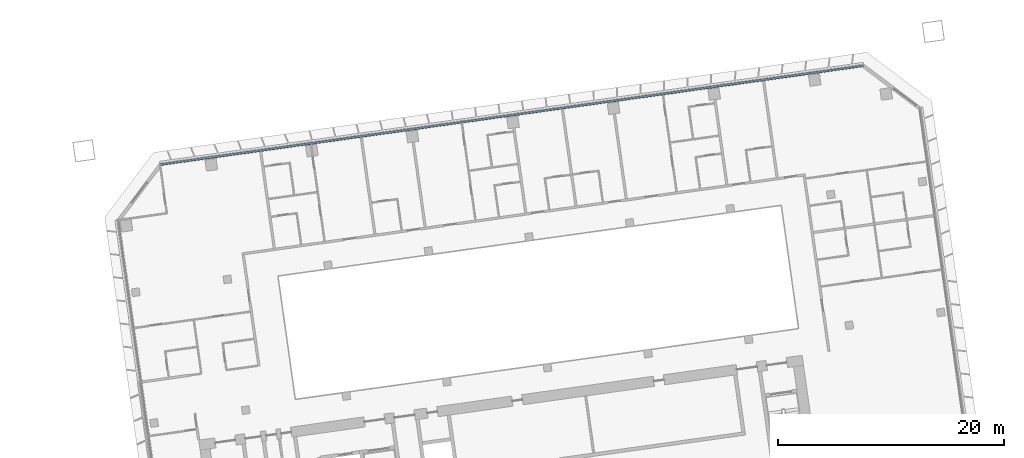
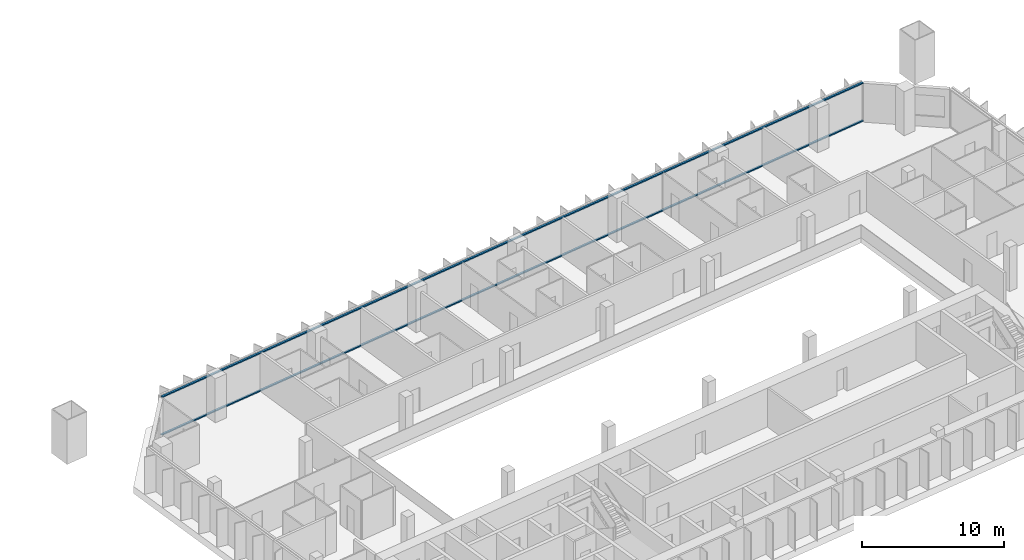
# One storey, part 9 of 25: 2 members, 1 element without a shape of its own.
"""IFC4 building model written with IfcOpenShell, lengths in metres."""

from ifc_helpers import new_model, si_unit, direction, frame, origin, origin_2d, place, context, subcontext, project, spatial, rectangle, extrude, material, material_profile, profile_set, type_object, element, aggregate, save


model = new_model("IFC4")

# Units and contexts
model_context = context("Model", 3, precision=1e-05, world=origin(), true_north=direction((0.0, 1.0)))
body_context = subcontext(model_context, "Body", "Model", "MODEL_VIEW")
ifc_project = project(units=[si_unit("LENGTHUNIT", "METRE"), si_unit("AREAUNIT", "SQUARE_METRE"), si_unit("VOLUMEUNIT", "CUBIC_METRE"), si_unit("PLANEANGLEUNIT", "RADIAN"), si_unit("MASSUNIT", "GRAM", prefix="KILO")], contexts=[model_context])

# Site, building, storey
site_placement = place(None, origin())
site = spatial("IfcSite", under=ifc_project, at=site_placement, CompositionType="ELEMENT")
building_placement = place(site_placement, origin())
building = spatial("IfcBuilding", under=site, at=building_placement, Name="Mirante Cascada Hotel Towers", CompositionType="ELEMENT")
storey_placement = place(building_placement, frame((0.0, 0.0, 58.5)))
storey = spatial("IfcBuildingStorey", under=building, at=storey_placement, Name="L11", CompositionType="ELEMENT", Elevation=58.5)

# Curtain wall, members
ifc_material_1 = material(Name="Aluminium mullion and transom frame with clear laminated glass", Category="aluminium")
curtain_wall_type = type_object("IfcCurtainWallType", Name="Ribbon curtain wall ECW1", PredefinedType="NOTDEFINED", material=ifc_material_1)
curtain_wall_placement = place(storey_placement, origin())
curtain_wall = element("IfcCurtainWall", 1, at=curtain_wall_placement, inside=storey, type_object=curtain_wall_type, Name="Front ribbon wall T2 L11", PredefinedType="NOTDEFINED")
ifc_material_2 = material(Name="Anodised aluminium extrusion", Category="aluminium")
ifc_material_profile = material_profile(ifc_material_2, rectangle(XDim=0.16, YDim=0.1, at=origin_2d()), Name="ECW1 TRANSOM 100x160")
ifc_profile_set = profile_set([ifc_material_profile], Name="Anodised aluminium extrusion")
member_type = type_object("IfcMemberType", Name="ECW1 transom 100x160", PredefinedType="USERDEFINED", material=ifc_profile_set)
member_1_placement = place(storey_placement, frame((94.1582, 26.0521, 0.05), z_axis=(-0.9902681, -0.1391728, 0.0), x_axis=(0.1391728, -0.9902681, 0.0)))
member_1 = element("IfcMember", 2, at=member_1_placement, type_object=member_type, Name="ECW1 sill transom", ObjectType="TRANSOM", PredefinedType="USERDEFINED", context=body_context, shape_type="SweptSolid", body=[
    extrude(rectangle(XDim=0.16, YDim=0.1, at=origin_2d()), origin(), (0.0, 0.0, 1.0), 62.8758),
])
member_2_placement = place(storey_placement, frame((94.1582, 26.0521, 3.3), z_axis=(-0.9902681, -0.1391728, 0.0), x_axis=(0.1391728, -0.9902681, 0.0)))
member_2 = element("IfcMember", 3, at=member_2_placement, type_object=member_type, Name="ECW1 head transom", ObjectType="TRANSOM", PredefinedType="USERDEFINED", context=body_context, shape_type="SweptSolid", body=[
    extrude(rectangle(XDim=0.16, YDim=0.1, at=origin_2d()), origin(), (0.0, 0.0, 1.0), 62.8758),
])
aggregate(curtain_wall, [member_1, member_2])

save(model, "model.ifc")
